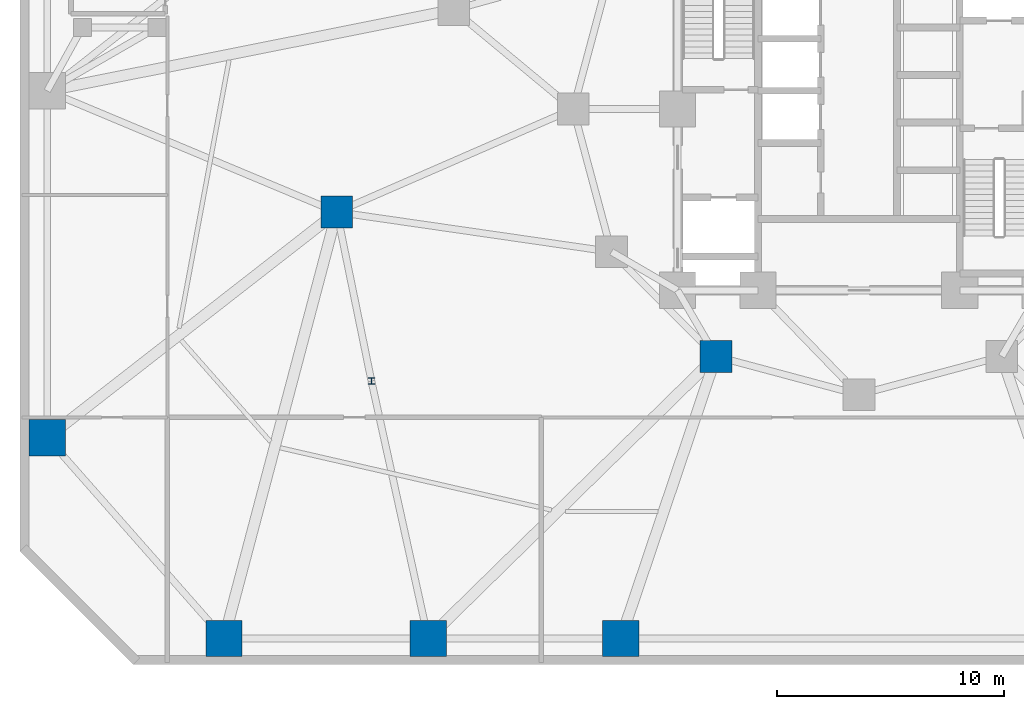
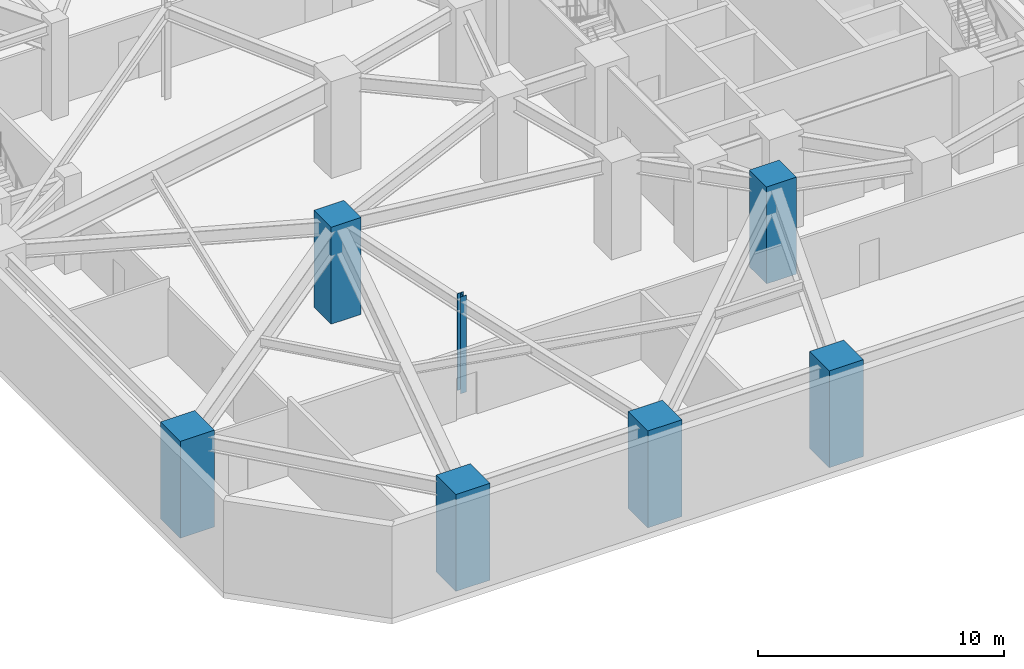
# One storey, part 1 of 18: 7 columns.
"""IFC4 building model written with IfcOpenShell, lengths in metres."""

from ifc_helpers import new_model, si_unit, direction, frame, origin, origin_2d, place, context, subcontext, project, spatial, rectangle, i_section, extrude, material, material_profile, profile_set, type_object, element, save


model = new_model("IFC4")

# Units and contexts
model_context = context("Model", 3, precision=1e-05, world=origin(), true_north=direction((0.0, 1.0)))
body_context = subcontext(model_context, "Body", "Model", "MODEL_VIEW")
ifc_project = project(units=[si_unit("LENGTHUNIT", "METRE"), si_unit("AREAUNIT", "SQUARE_METRE"), si_unit("VOLUMEUNIT", "CUBIC_METRE"), si_unit("PLANEANGLEUNIT", "RADIAN"), si_unit("MASSUNIT", "GRAM", prefix="KILO")], contexts=[model_context])

# Site, building, storey
site_placement = place(None, origin())
site = spatial("IfcSite", under=ifc_project, at=site_placement, CompositionType="ELEMENT")
building_placement = place(site_placement, origin())
building = spatial("IfcBuilding", under=site, at=building_placement, Name="Terralouvre Media Tower", CompositionType="ELEMENT")
storey_placement = place(building_placement, frame((0.0, 0.0, -4.800048828125)))
storey = spatial("IfcBuildingStorey", under=building, at=storey_placement, Name="B01", CompositionType="ELEMENT", Elevation=-4.800048828125)

# Columns
ifc_material_1 = material(Name="Structural steel S355J2", Category="steel")
ifc_material_profile_1 = material_profile(ifc_material_1, i_section(OverallWidth=0.280029296875, OverallDepth=0.280029296875, WebThickness=0.010498046875, FlangeThickness=0.01806640625, at=origin_2d()), Name="HEB 280")
ifc_profile_set_1 = profile_set([ifc_material_profile_1], Name="Structural steel S355J2")
column_type_1 = type_object("IfcColumnType", Name="Basement Aisle Pilaster PL-HEB280 (HEB 280)", PredefinedType="PILASTER", material=ifc_profile_set_1)
column_placement = place(storey_placement, frame((-21.5, -12.0, 0.0), z_axis=(0.0, 0.0, 1.0), x_axis=(1.0, 0.0, 0.0)))
element("IfcColumn", 1, at=column_placement, inside=storey, type_object=column_type_1, Name="B01 Car-Park Aisle Pilaster A1", PredefinedType="PILASTER", context=body_context, shape_type="SweptSolid", body=[
    extrude(i_section(OverallWidth=0.280029296875, OverallDepth=0.280029296875, WebThickness=0.010498046875, FlangeThickness=0.01806640625, at=origin_2d()), origin(), (0.0, 0.0, 1.0), 4.800048828125),
])
ifc_material_2 = material(Name="Concrete C60/75", Category="concrete")
ifc_material_profile_2 = material_profile(ifc_material_2, rectangle(XDim=1.39990234375, YDim=1.39990234375, at=origin_2d()), Name="RC 1400x1400")
ifc_profile_set_2 = profile_set([ifc_material_profile_2], Name="Concrete C60/75")
column_type_2 = type_object("IfcColumnType", Name="Structural Column C-RC1400 (RC 1400x1400)", PredefinedType="COLUMN", material=ifc_profile_set_2)
for number, where, z_axis, x_axis, name in (
    (2, (-6.300048828125, -10.911865234375, 0.0), (0.0, 0.0, 1.0), (1.0, 0.0, 0.0), "B01 Mega-Frame Column MC09"),
    (3, (-23.02490234375, -4.546630859375, 0.0), (0.0, 0.0, 1.0), (1.0, 0.0, 0.0), "B01 Podium Transfer Column PM24"),
):
    element("IfcColumn", number, at=place(storey_placement, frame(where, z_axis=z_axis, x_axis=x_axis)), inside=storey, type_object=column_type_2, Name=name, PredefinedType="COLUMN", context=body_context, shape_type="SweptSolid", body=[
        extrude(rectangle(XDim=1.39990234375, YDim=1.39990234375, at=origin_2d()), origin(), (0.0, 0.0, 1.0), 4.800048828125),
    ])
ifc_material_3 = material(Name="Concrete C60/75", Category="concrete")
ifc_material_profile_3 = material_profile(ifc_material_3, rectangle(XDim=1.60009765625, YDim=1.60009765625, at=origin_2d()), Name="RC 1600x1600")
ifc_profile_set_3 = profile_set([ifc_material_profile_3], Name="Concrete C60/75")
column_type_3 = type_object("IfcColumnType", Name="Structural Column C-RC1600 (RC 1600x1600)", PredefinedType="COLUMN", material=ifc_profile_set_3)
for number, where, z_axis, x_axis, name in (
    (4, (-28.0, -23.35009765625, 0.0), (0.0, 0.0, 1.0), (1.0, 0.0, 0.0), "B01 Perimeter Mega-Column PM01"),
    (5, (-19.0, -23.35009765625, 0.0), (0.0, 0.0, 1.0), (1.0, 0.0, 0.0), "B01 Perimeter Mega-Column PM02"),
    (6, (-10.5, -23.35009765625, 0.0), (0.0, 0.0, 1.0), (1.0, 0.0, 0.0), "B01 Perimeter Mega-Column PM03"),
    (7, (-35.800048828125, -14.5, 0.0), (0.0, 0.0, 1.0), (1.0, 0.0, 0.0), "B01 Perimeter Mega-Column PM18"),
):
    element("IfcColumn", number, at=place(storey_placement, frame(where, z_axis=z_axis, x_axis=x_axis)), inside=storey, type_object=column_type_3, Name=name, PredefinedType="COLUMN", context=body_context, shape_type="SweptSolid", body=[
        extrude(rectangle(XDim=1.60009765625, YDim=1.60009765625, at=origin_2d()), origin(), (0.0, 0.0, 1.0), 4.800048828125),
    ])

save(model, "model.ifc")
